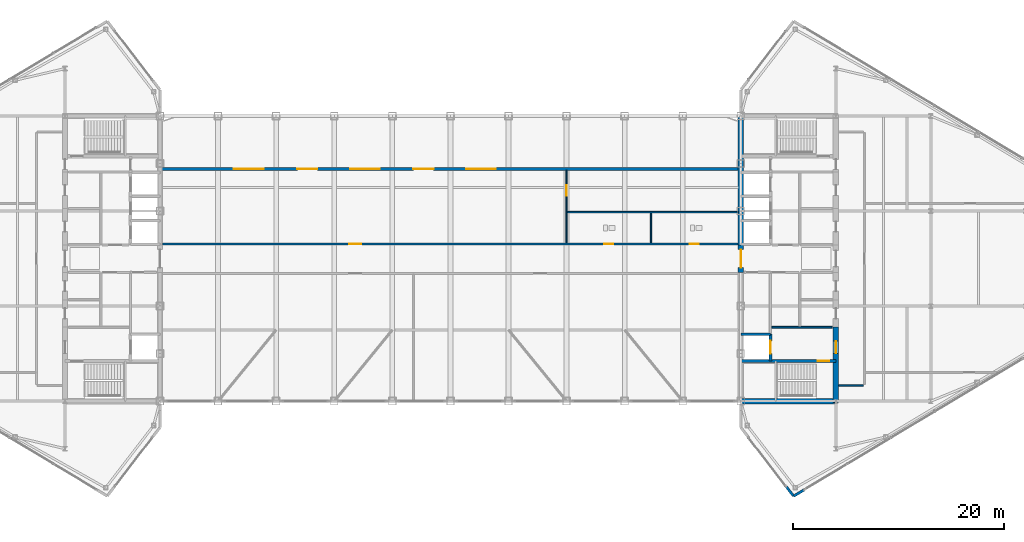
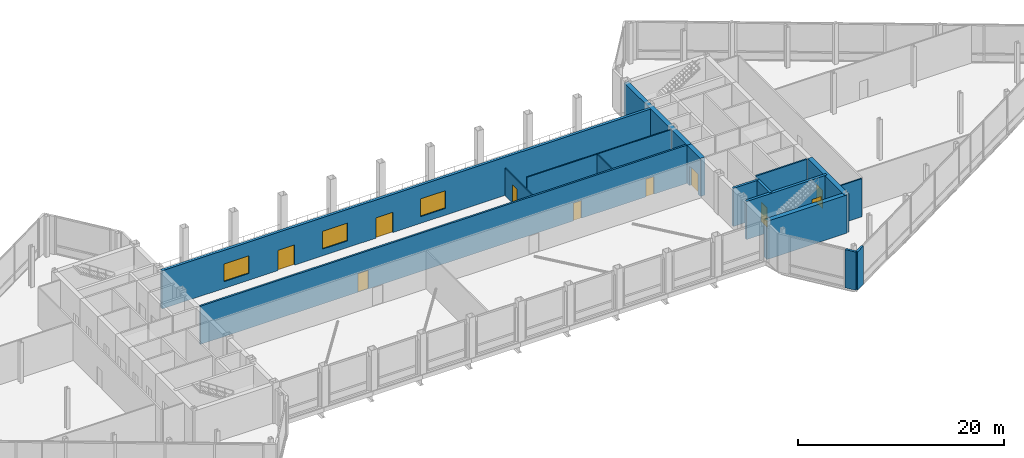
# One storey, part 23 of 28: 16 walls, 10 doors, 3 windows, 13 openings.
"""IFC4 building model written with IfcOpenShell, lengths in metres."""

import ifcopenshell
import ifcopenshell.guid

model = None  # the IFC model being written
_history = None  # IfcOwnerHistory: only IFC2X3 demands one
_inside = {}  # id of a spatial element -> (the spatial element, [elements in it])
_under = {}  # id of a project, library or spatial element -> (it, [spatial elements below it])
_declared = {}  # id of a project -> (the project, [libraries it declares])
_typed = {}  # id of a type object -> (the type object, [elements of that type])
_made_of = {}  # id of a material, layer set ... -> (it, [elements and type objects made of it])


def new_model(schema):
    """Start an empty IFC model of exactly this schema.

    Asked for "IFC4X3", IfcOpenShell would pick the latest addendum, in which some entities
    have other attributes; the version numbers below select the first issue.
    IFC2X3 requires an IfcOwnerHistory on every rooted entity: one is made here for all.
    """
    global model, _history
    if schema == "IFC4X3":
        model = ifcopenshell.file(schema_version=(4, 3, 0, 0))
    else:
        model = ifcopenshell.file(schema=schema)
    _inside.clear()
    _under.clear()
    _declared.clear()
    _typed.clear()
    _made_of.clear()
    _history = None
    if model.schema == "IFC2X3":
        org = make("IfcOrganization", Name="unknown")
        user = make(
            "IfcPersonAndOrganization",
            ThePerson=make("IfcPerson", FamilyName="unknown"),
            TheOrganization=org,
        )
        app = make(
            "IfcApplication",
            ApplicationDeveloper=org,
            Version="unknown",
            ApplicationFullName="unknown",
            ApplicationIdentifier="unknown",
        )
        _history = make(
            "IfcOwnerHistory",
            OwningUser=user,
            OwningApplication=app,
            ChangeAction="ADDED",
            CreationDate=0,
        )
    return model


def make(cls, **values):
    """One entity of the class cls with the attributes given. An attribute that is None is left unset."""
    return model.create_entity(
        cls, **{name: value for name, value in values.items() if value is not None}
    )


def rooted(cls, **values):
    """An entity with a GlobalId (a new one), such as an element, a storey or a relation."""
    return make(cls, GlobalId=ifcopenshell.guid.new(), OwnerHistory=_history, **values)


def si_unit(unit_type, name, prefix=None):
    """IfcSIUnit, for example si_unit("LENGTHUNIT", "METRE", prefix="MILLI")."""
    return make("IfcSIUnit", UnitType=unit_type, Prefix=prefix, Name=name)


def assignment(units):
    """IfcUnitAssignment: the units of a project."""
    return None if units is None else make("IfcUnitAssignment", Units=units)


def point(xyz):
    """IfcCartesianPoint."""
    return None if xyz is None else make("IfcCartesianPoint", Coordinates=xyz)


def direction(xyz):
    """IfcDirection."""
    return None if xyz is None else make("IfcDirection", DirectionRatios=xyz)


def frame(location, z_axis=None, x_axis=None):
    """IfcAxis2Placement3D, a coordinate frame: its origin and axes. An axis left out is left unset."""
    return make(
        "IfcAxis2Placement3D",
        Location=point(location),
        Axis=direction(z_axis),
        RefDirection=direction(x_axis),
    )


def frame_2d(location, x_axis=None):
    """IfcAxis2Placement2D, a coordinate frame in the plane: its origin and x axis."""
    return make(
        "IfcAxis2Placement2D", Location=point(location), RefDirection=direction(x_axis)
    )


def origin():
    """The frame at (0, 0, 0) with its axes left unset."""
    return frame((0.0, 0.0, 0.0))


def place(relative_to, where):
    """IfcLocalPlacement: puts the frame where relative to a parent placement (None: the world)."""
    return make(
        "IfcLocalPlacement", PlacementRelTo=relative_to, RelativePlacement=where
    )


def context(
    kind, dimensions, precision=None, world=None, true_north=None, identifier=None
):
    """IfcGeometricRepresentationContext, for example the 3D "Model" context."""
    return make(
        "IfcGeometricRepresentationContext",
        ContextIdentifier=identifier,
        ContextType=kind,
        CoordinateSpaceDimension=dimensions,
        Precision=precision,
        WorldCoordinateSystem=world,
        TrueNorth=true_north,
    )


def subcontext(parent, identifier, kind, view, scale=None):
    """IfcGeometricRepresentationSubContext, for example "Body" below "Model"."""
    return make(
        "IfcGeometricRepresentationSubContext",
        ContextIdentifier=identifier,
        ContextType=kind,
        ParentContext=parent,
        TargetScale=scale,
        TargetView=view,
    )


def project(units=None, contexts=None):
    """IfcProject with its units and contexts."""
    return rooted(
        "IfcProject",
        Name="project",
        RepresentationContexts=contexts,
        UnitsInContext=assignment(units),
    )


def spatial(cls, under=None, at=None, **own):
    """A site, building, storey or space (cls), placed at a placement, below another one or the project."""
    s = rooted(cls, ObjectPlacement=at, **own)
    if under is not None:
        _under.setdefault(under.id(), (under, []))[1].append(s)
    return s


def profile(cls, at=None, kind="AREA", **sizes):
    """A parametric profile (cls). Its sizes go by their IFC names, for example OverallWidth=200.0."""
    return make(cls, ProfileType=kind, Position=at, **sizes)


def rectangle(**sizes):
    """IfcRectangleProfileDef."""
    return profile("IfcRectangleProfileDef", **sizes)


def extrude(swept, where, along, depth):
    """IfcExtrudedAreaSolid: the profile swept, set in the frame where, extruded along a direction by depth."""
    return make(
        "IfcExtrudedAreaSolid",
        SweptArea=swept,
        Position=where,
        ExtrudedDirection=direction(along),
        Depth=depth,
    )


def shape(context_of_items, identifier, shape_type, items):
    """IfcShapeRepresentation: the items that make up one representation, for example the "Body"."""
    return make(
        "IfcShapeRepresentation",
        ContextOfItems=context_of_items,
        RepresentationIdentifier=identifier,
        RepresentationType=shape_type,
        Items=items,
    )


def source(mapping_origin, context_of_items, identifier, shape_type, items):
    """IfcRepresentationMap: a shape defined once, which mapped items show again and again."""
    return make(
        "IfcRepresentationMap",
        MappingOrigin=mapping_origin,
        MappedRepresentation=shape(context_of_items, identifier, shape_type, items),
    )


def transform(
    local_origin,
    x_axis=None,
    y_axis=None,
    z_axis=None,
    scale=None,
    scale2=None,
    scale3=None,
    uniform=True,
):
    """IfcCartesianTransformationOperator3D, or its non-uniform kind. x_axis, y_axis, z_axis: its Axis1, 2, 3."""
    if uniform:
        return make(
            "IfcCartesianTransformationOperator3D",
            Axis1=direction(x_axis),
            Axis2=direction(y_axis),
            LocalOrigin=point(local_origin),
            Scale=scale,
            Axis3=direction(z_axis),
        )
    return make(
        "IfcCartesianTransformationOperator3DnonUniform",
        Axis1=direction(x_axis),
        Axis2=direction(y_axis),
        LocalOrigin=point(local_origin),
        Scale=scale,
        Axis3=direction(z_axis),
        Scale2=scale2,
        Scale3=scale3,
    )


def mapped(mapping_source, mapping_target):
    """IfcMappedItem: shows the shape of a source again, moved by a transform."""
    return make(
        "IfcMappedItem", MappingSource=mapping_source, MappingTarget=mapping_target
    )


def material(Name=None, Category=None):
    """IfcMaterial."""
    return make("IfcMaterial", Name=Name, Category=Category)


def layer(
    of_material, thickness, ventilated=None, Name=None, Category=None, Priority=None
):
    """IfcMaterialLayer: one layer of a wall or slab, of a material (None: an air gap)."""
    return make(
        "IfcMaterialLayer",
        Material=of_material,
        LayerThickness=thickness,
        IsVentilated=ventilated,
        Name=Name,
        Category=Category,
        Priority=Priority,
    )


def layer_set(layers, Name=None):
    """IfcMaterialLayerSet."""
    return make("IfcMaterialLayerSet", MaterialLayers=layers, LayerSetName=Name)


def made_of(thing, what):
    """Note that an element or type object is made of a material, layer set ...; save() writes the relation."""
    if what is not None:
        _made_of.setdefault(what.id(), (what, []))[1].append(thing)
    return thing


def type_object(cls, material=None, **own):
    """A type object (cls), such as IfcWallType, which elements share."""
    return made_of(rooted(cls, **own), material)


def type_shapes(of_type, sources):
    """Give a type object the sources (RepresentationMaps) that its elements show as mapped items."""
    of_type.RepresentationMaps = sources


def element(
    cls,
    number,
    at=None,
    inside=None,
    cuts=None,
    type_object=None,
    material=None,
    context=None,
    identifier="Body",
    shape_type=None,
    held_by="IfcProductDefinitionShape",
    body=None,
    shapes=None,
    **own,
):
    """One element of the class cls, such as IfcWall. Its Tag is "e" and its number.

    at: its placement. inside: the storey or other place that contains it. cuts: it is an
    opening in that element (IfcRelVoidsElement). A single representation is given by context,
    identifier, shape_type and body (its items); several are given by shapes. held_by: the class
    of the entity that holds the representations. save() writes the other relations.
    """
    e = rooted(cls, Tag="e%d" % number, ObjectPlacement=at, **own)
    if body is not None:
        shapes = [shape(context, identifier, shape_type, body)]
    if shapes is not None:
        e.Representation = make(held_by, Representations=shapes)
    if inside is not None:
        _inside.setdefault(inside.id(), (inside, []))[1].append(e)
    if cuts is not None:
        rooted(
            "IfcRelVoidsElement", RelatingBuildingElement=cuts, RelatedOpeningElement=e
        )
    if type_object is not None:
        _typed.setdefault(type_object.id(), (type_object, []))[1].append(e)
    return made_of(e, material)


def fill(opening, filler):
    """IfcRelFillsElement: the door or window that sits in an opening."""
    return rooted(
        "IfcRelFillsElement",
        RelatingOpeningElement=opening,
        RelatedBuildingElement=filler,
    )


def aggregate(whole, parts):
    """IfcRelAggregates: a whole, such as a stair, and the parts it consists of."""
    return rooted("IfcRelAggregates", RelatingObject=whole, RelatedObjects=parts)


def save(model, path):
    """Write the relations noted so far, then the file.

    IfcRelAggregates (storeys below a building ...), IfcRelContainedInSpatialStructure (elements
    in a storey), IfcRelDefinesByType, IfcRelAssociatesMaterial and IfcRelDeclares: one each for
    every whole, place, type object, material and project.
    """
    for whole, parts in _under.values():
        aggregate(whole, parts)
    for where, things in _inside.values():
        rooted(
            "IfcRelContainedInSpatialStructure",
            RelatedElements=things,
            RelatingStructure=where,
        )
    for kind, things in _typed.values():
        rooted("IfcRelDefinesByType", RelatedObjects=things, RelatingType=kind)
    for what, things in _made_of.values():
        rooted("IfcRelAssociatesMaterial", RelatedObjects=things, RelatingMaterial=what)
    for by, libraries in _declared.values():
        rooted("IfcRelDeclares", RelatingContext=by, RelatedDefinitions=libraries)
    model.write(path)


model = new_model("IFC4")

# Units and contexts
model_context = context("Model", 3, precision=1e-05, world=origin(), true_north=direction((0.0, 1.0)))
body_context = subcontext(model_context, "Body", "Model", "MODEL_VIEW")
ifc_project = project(units=[si_unit("LENGTHUNIT", "METRE"), si_unit("AREAUNIT", "SQUARE_METRE"), si_unit("VOLUMEUNIT", "CUBIC_METRE"), si_unit("PLANEANGLEUNIT", "RADIAN"), si_unit("MASSUNIT", "GRAM", prefix="KILO")], contexts=[model_context])

# Site, building, storey
site_placement = place(None, origin())
site = spatial("IfcSite", under=ifc_project, at=site_placement, CompositionType="ELEMENT")
building_placement = place(site_placement, origin())
building = spatial("IfcBuilding", under=site, at=building_placement, Name="Seokmaru Belvedere", CompositionType="ELEMENT")
storey_placement = place(building_placement, frame((0.0, 0.0, 274.199951171875)))
storey = spatial("IfcBuildingStorey", under=building, at=storey_placement, Name="L72", CompositionType="ELEMENT", Elevation=274.199951171875)

# Walls
ifc_material_1 = material(Name="Fire-Rated Gypsum Shaftwall")
ifc_layer_1 = layer(ifc_material_1, 0.14990234375)
ifc_layer_set_1 = layer_set([ifc_layer_1], Name="Fire-Rated Gypsum Shaftwall")
wall_type_1 = type_object("IfcWallType", Name="Apartment Fire-Acoustic Room Partition 150", PredefinedType="PARTITIONING", material=ifc_layer_set_1)
wall_1_placement = place(storey_placement, frame((36.7548828125, -12.0, 0.0), z_axis=(0.0, 0.0, 1.0), x_axis=(1.0, 0.0, 0.0)))
element("IfcWall", 1, at=wall_1_placement, inside=storey, type_object=wall_type_1, Name="L72 Interior Partition 002", PredefinedType="PARTITIONING", context=body_context, shape_type="SweptSolid", body=[
    extrude(rectangle(XDim=2.360107421875, YDim=0.14990234375, at=frame_2d((1.18017578125, 0.0))), origin(), (0.0, 0.0, 1.0), 4.52001953125),
])
ifc_layer_2 = layer(ifc_material_1, 0.179931640625)
ifc_layer_set_2 = layer_set([ifc_layer_2], Name="Fire-Rated Gypsum Shaftwall")
wall_type_2 = type_object("IfcWallType", Name="Core Service Fire Partition 180", PredefinedType="PARTITIONING", material=ifc_layer_set_2)
wall_2_placement = place(storey_placement, frame((30.449951171875, -6.5, 0.0), z_axis=(0.0, 0.0, 1.0), x_axis=(1.0, 0.0, 0.0)))
element("IfcWall", 2, at=wall_2_placement, inside=storey, type_object=wall_type_2, Name="L72 East Firefighting Lobby Partition", PredefinedType="PARTITIONING", context=body_context, shape_type="SweptSolid", body=[
    extrude(rectangle(XDim=5.699951171875, YDim=0.179931640625, at=frame_2d((2.85009765625, 0.0))), origin(), (0.0, 0.0, 1.0), 4.52001953125),
])
ifc_material_2 = material(Name="Concrete C50 (50 MPa)", Category="concrete")
ifc_layer_3 = layer(ifc_material_2, 0.25)
ifc_layer_set_3 = layer_set([ifc_layer_3], Name="Concrete C50 (50 MPa)")
wall_type_3 = type_object("IfcWallType", Name="Hoistway Transverse Concrete Divider Wall 250", PredefinedType="SHEAR", material=ifc_layer_set_3)
wall_3_placement = place(storey_placement, frame((27.5, -7.14990234375, 0.0), z_axis=(0.0, 0.0, 1.0), x_axis=(1.0, 0.0, 0.0)))
element("IfcWall", 3, at=wall_3_placement, inside=storey, type_object=wall_type_3, Name="L72 East Hoistway Divider Core Wall 1", PredefinedType="SHEAR", context=body_context, shape_type="SweptSolid", body=[
    extrude(rectangle(XDim=2.800048828125, YDim=0.25, at=frame_2d((1.39990234375, 0.0))), origin(), (0.0, 0.0, 1.0), 4.52001953125),
])

# Wall, openings, doors
ifc_layer_4 = layer(ifc_material_1, 0.199951171875)
ifc_layer_set_4 = layer_set([ifc_layer_4], Name="Fire-Rated Gypsum Shaftwall")
wall_type_4 = type_object("IfcWallType", Name="Inter-Tenancy Fire Compartment Partition 200", PredefinedType="PARTITIONING", material=ifc_layer_set_4)
wall_4_placement = place(storey_placement, frame((-27.2451171875, 1.39990234375, 0.0), z_axis=(0.0, 0.0, 1.0), x_axis=(1.0, 0.0, 0.0)))
wall_4 = element("IfcWall", 4, at=wall_4_placement, inside=storey, type_object=wall_type_4, Name="L72 Interior Partition 006", PredefinedType="PARTITIONING", context=body_context, shape_type="SweptSolid", body=[
    extrude(rectangle(XDim=54.490234375, YDim=0.199951171875, at=frame_2d((27.2451171875, 0.0))), origin(), (0.0, 0.0, 1.0), 4.52001953125),
])
opening_1_placement = place(wall_4_placement, frame((17.669921875, 0.0, 0.0)))
opening_1 = element("IfcOpeningElement", 5, at=opening_1_placement, cuts=wall_4, Name="Opening D02", PredefinedType="OPENING", context=body_context, shape_type="SweptSolid", body=[
    extrude(rectangle(XDim=1.14990234375, YDim=2.199951171875, at=frame_2d((0.574951171875, 1.10009765625))), frame((0.0, 0.10986328125, 0.0), z_axis=(0.0, -1.0, 0.0), x_axis=(1.0, 0.0, 0.0)), (0.0, 0.0, 1.0), 0.219970703125),
])
opening_2_placement = place(wall_4_placement, frame((41.804931640625, 0.0, 0.0)))
opening_2 = element("IfcOpeningElement", 6, at=opening_2_placement, cuts=wall_4, Name="Opening D06", PredefinedType="OPENING", context=body_context, shape_type="SweptSolid", body=[
    extrude(rectangle(XDim=0.8798828125, YDim=2.10009765625, at=frame_2d((0.43994140625, 1.050048828125))), frame((0.0, 0.10986328125, 0.0), z_axis=(0.0, -1.0, 0.0), x_axis=(1.0, 0.0, 0.0)), (0.0, 0.0, 1.0), 0.219970703125),
])
opening_3_placement = place(wall_4_placement, frame((49.905029296875, 0.0, 0.0)))
opening_3 = element("IfcOpeningElement", 7, at=opening_3_placement, cuts=wall_4, Name="Opening D06", PredefinedType="OPENING", context=body_context, shape_type="SweptSolid", body=[
    extrude(rectangle(XDim=0.8798828125, YDim=2.10009765625, at=frame_2d((0.43994140625, 1.050048828125))), frame((0.0, 0.10986328125, 0.0), z_axis=(0.0, -1.0, 0.0), x_axis=(1.0, 0.0, 0.0)), (0.0, 0.0, 1.0), 0.219970703125),
])
ifc_material_3 = material(Name="Fire-Rated Steel Leaf", Category="steel")
door_type_1 = type_object("IfcDoorType", Name="Lobby and Vestibule Fire Door 1150x2200", OperationType="NOTDEFINED", PredefinedType="DOOR", material=ifc_material_3)
shared_shape_1 = source(origin(), body_context, "Body", "SweptSolid", [
    extrude(rectangle(XDim=1.14990234375, YDim=2.199951171875, at=frame_2d((0.574951171875, 1.10009765625))), frame((0.0, 0.02490234375, 0.0), z_axis=(0.0, -1.0, 0.0), x_axis=(1.0, 0.0, 0.0)), (0.0, 0.0, 1.0), 0.050048828125),
])
type_shapes(door_type_1, [shared_shape_1])
door_1_placement = place(opening_1_placement, origin())
door_1 = element("IfcDoor", 8, at=door_1_placement, inside=storey, type_object=door_type_1, Name="L72 Interior Door 009", OperationType="SINGLE_SWING_LEFT", OverallHeight=2.199951171875, OverallWidth=1.14990234375, PredefinedType="DOOR", context=body_context, shape_type="MappedRepresentation", body=[
    mapped(shared_shape_1, transform((0.0, 0.0, 0.0), scale=1.0)),
])
fill(opening_1, door_1)
ifc_material_4 = material(Name="Engineered White Oak Timber", Category="wood")
door_type_2 = type_object("IfcDoorType", Name="Bathroom and Restroom Fire-Rated Door 880x2100", OperationType="NOTDEFINED", PredefinedType="DOOR", material=ifc_material_4)
shared_shape_2 = source(origin(), body_context, "Body", "SweptSolid", [
    extrude(rectangle(XDim=0.8798828125, YDim=2.10009765625, at=frame_2d((0.43994140625, 1.050048828125))), frame((0.0, 0.02490234375, 0.0), z_axis=(0.0, -1.0, 0.0), x_axis=(1.0, 0.0, 0.0)), (0.0, 0.0, 1.0), 0.050048828125),
])
type_shapes(door_type_2, [shared_shape_2])
door_2_placement = place(opening_2_placement, origin())
door_2 = element("IfcDoor", 9, at=door_2_placement, inside=storey, type_object=door_type_2, Name="L72 Interior Door 010", OperationType="SINGLE_SWING_LEFT", OverallHeight=2.10009765625, OverallWidth=0.8798828125, PredefinedType="DOOR", context=body_context, shape_type="MappedRepresentation", body=[
    mapped(shared_shape_2, transform((0.0, 0.0, 0.0), scale=1.0)),
])
fill(opening_2, door_2)
door_3_placement = place(opening_3_placement, origin())
door_3 = element("IfcDoor", 10, at=door_3_placement, inside=storey, type_object=door_type_2, Name="L72 Interior Door 011", OperationType="SINGLE_SWING_RIGHT", OverallHeight=2.10009765625, OverallWidth=0.8798828125, PredefinedType="DOOR", context=body_context, shape_type="MappedRepresentation", body=[
    mapped(shared_shape_2, transform((0.0, 0.0, 0.0), scale=1.0)),
])
fill(opening_3, door_3)

# Wall, opening, door
ifc_layer_5 = layer(ifc_material_2, 0.300048828125)
ifc_layer_set_5 = layer_set([ifc_layer_5], Name="Concrete C50 (50 MPa)")
wall_type_5 = type_object("IfcWallType", Name="Internal Core Stair and Hoistway Wall 300", PredefinedType="SHEAR", material=ifc_layer_set_5)
wall_5_placement = place(storey_placement, frame((27.5, -9.699951171875, 0.0), z_axis=(0.0, 0.0, 1.0), x_axis=(1.0, 0.0, 0.0)))
wall_5 = element("IfcWall", 11, at=wall_5_placement, inside=storey, type_object=wall_type_5, Name="L72 East Stair ST-1 Enclosure Wall", PredefinedType="SHEAR", context=body_context, shape_type="SweptSolid", body=[
    extrude(rectangle(XDim=9.0, YDim=0.300048828125, at=frame_2d((4.5, 0.0))), origin(), (0.0, 0.0, 1.0), 4.52001953125),
])
opening_4_placement = place(wall_5_placement, frame((7.300048828125, 0.0, 0.0)))
opening_4 = element("IfcOpeningElement", 12, at=opening_4_placement, cuts=wall_5, Name="Opening D01", PredefinedType="OPENING", context=body_context, shape_type="SweptSolid", body=[
    extrude(rectangle(XDim=1.10009765625, YDim=2.199951171875, at=frame_2d((0.550048828125, 1.10009765625))), frame((0.0, 0.16015625, 0.0), z_axis=(0.0, -1.0, 0.0), x_axis=(1.0, 0.0, 0.0)), (0.0, 0.0, 1.0), 0.320068359375),
])
door_type_3 = type_object("IfcDoorType", Name="Special Escape Stair Smokeproof Fire Door 1100x2200", OperationType="NOTDEFINED", PredefinedType="DOOR", material=ifc_material_3)
shared_shape_3 = source(origin(), body_context, "Body", "SweptSolid", [
    extrude(rectangle(XDim=1.10009765625, YDim=2.199951171875, at=frame_2d((0.550048828125, 1.10009765625))), frame((0.0, 0.02490234375, 0.0), z_axis=(0.0, -1.0, 0.0), x_axis=(1.0, 0.0, 0.0)), (0.0, 0.0, 1.0), 0.050048828125),
])
type_shapes(door_type_3, [shared_shape_3])
door_4_placement = place(opening_4_placement, frame((1.10009765625, 0.0, 0.0), z_axis=(0.0, 0.0, 1.0), x_axis=(-1.0, 0.0, 0.0)))
door_4 = element("IfcDoor", 13, at=door_4_placement, inside=storey, type_object=door_type_3, Name="L72 East Special Escape Stair ST-1 Door", OperationType="SINGLE_SWING_RIGHT", OverallHeight=2.199951171875, OverallWidth=1.10009765625, PredefinedType="DOOR", context=body_context, shape_type="MappedRepresentation", body=[
    mapped(shared_shape_3, transform((0.0, 0.0, 0.0), scale=1.0)),
])
fill(opening_4, door_4)

wall_6_placement = place(storey_placement, frame((30.300048828125, -9.679931640625, 0.0), z_axis=(0.0, 0.0, 1.0), x_axis=(0.0, 1.0, 0.0)))
wall_6 = element("IfcWall", 14, at=wall_6_placement, inside=storey, type_object=wall_type_5, Name="L72 East Firefighting Lift Shaft Front Wall", PredefinedType="SHEAR", context=body_context, shape_type="SweptSolid", body=[
    extrude(rectangle(XDim=2.559814453125, YDim=0.300048828125, at=frame_2d((1.27978515625, 0.0))), origin(), (0.0, 0.0, 1.0), 4.52001953125),
])
opening_5_placement = place(wall_6_placement, frame((0.679931640625, 0.0, 0.0)))
opening_5 = element("IfcOpeningElement", 15, at=opening_5_placement, cuts=wall_6, Name="Opening LD2", PredefinedType="OPENING", context=body_context, shape_type="SweptSolid", body=[
    extrude(rectangle(XDim=1.199951171875, YDim=2.25, at=frame_2d((0.60009765625, 1.125))), frame((0.0, 0.16015625, 0.0), z_axis=(0.0, -1.0, 0.0), x_axis=(1.0, 0.0, 0.0)), (0.0, 0.0, 1.0), 0.320068359375),
])
ifc_material_5 = material(Name="Stainless Steel 316", Category="steel")
door_type_4 = type_object("IfcDoorType", Name="Firefighting Lift Sliding Landing Door 1200x2250", OperationType="DOUBLE_DOOR_SLIDING", PredefinedType="DOOR", material=ifc_material_5)
shared_shape_4 = source(origin(), body_context, "Body", "SweptSolid", [
    extrude(rectangle(XDim=1.199951171875, YDim=2.25, at=frame_2d((0.60009765625, 1.125))), frame((0.0, 0.02490234375, 0.0), z_axis=(0.0, -1.0, 0.0), x_axis=(1.0, 0.0, 0.0)), (0.0, 0.0, 1.0), 0.050048828125),
])
type_shapes(door_type_4, [shared_shape_4])
door_5_placement = place(opening_5_placement, origin())
door_5 = element("IfcDoor", 16, at=door_5_placement, inside=storey, type_object=door_type_4, Name="L72 East Firefighting Lift Landing Door", OperationType="DOUBLE_DOOR_SLIDING", OverallHeight=2.25, OverallWidth=1.199951171875, PredefinedType="DOOR", context=body_context, shape_type="MappedRepresentation", body=[
    mapped(shared_shape_4, transform((0.0, 0.0, 0.0), scale=1.0)),
])
fill(opening_5, door_5)

# Wall
ifc_layer_6 = layer(ifc_material_1, 0.1298828125)
ifc_layer_set_6 = layer_set([ifc_layer_6], Name="Fire-Rated Gypsum Shaftwall")
wall_type_6 = type_object("IfcWallType", Name="Moisture-Resistant Fire-Rated Bathroom Partition 130", PredefinedType="PARTITIONING", material=ifc_layer_set_6)
wall_7_placement = place(storey_placement, frame((11.0849609375, 4.39990234375, 0.0), z_axis=(0.0, 0.0, 1.0), x_axis=(1.0, 0.0, 0.0)))
element("IfcWall", 17, at=wall_7_placement, inside=storey, type_object=wall_type_6, Name="L72 Interior Partition 007", PredefinedType="PARTITIONING", context=body_context, shape_type="SweptSolid", body=[
    extrude(rectangle(XDim=16.16015625, YDim=0.1298828125, at=frame_2d((8.080078125, 0.0))), origin(), (0.0, 0.0, 1.0), 4.52001953125),
])

# Wall, opening, door
wall_8_placement = place(storey_placement, frame((11.0, 1.485107421875, 0.0), z_axis=(0.0, 0.0, 1.0), x_axis=(0.0, 1.0, 0.0)))
wall_8 = element("IfcWall", 18, at=wall_8_placement, inside=storey, type_object=wall_type_6, Name="L72 Interior Partition 014", PredefinedType="PARTITIONING", context=body_context, shape_type="SweptSolid", body=[
    extrude(rectangle(XDim=6.85986328125, YDim=0.1298828125, at=frame_2d((3.429931640625, 0.0))), origin(), (0.0, 0.0, 1.0), 3.219970703125),
])
opening_6_placement = place(wall_8_placement, frame((4.489990234375, 0.0, 0.0)))
opening_6 = element("IfcOpeningElement", 19, at=opening_6_placement, cuts=wall_8, Name="Opening D05", PredefinedType="OPENING", context=body_context, shape_type="SweptSolid", body=[
    extrude(rectangle(XDim=0.949951171875, YDim=2.14990234375, at=frame_2d((0.47509765625, 1.074951171875))), frame((0.0, 0.074951171875, 0.0), z_axis=(0.0, -1.0, 0.0), x_axis=(1.0, 0.0, 0.0)), (0.0, 0.0, 1.0), 0.14990234375),
])
door_type_5 = type_object("IfcDoorType", Name="Apartment Interior Fire-Rated Oak Door 950x2150", OperationType="NOTDEFINED", PredefinedType="DOOR", material=ifc_material_4)
shared_shape_5 = source(origin(), body_context, "Body", "SweptSolid", [
    extrude(rectangle(XDim=0.949951171875, YDim=2.14990234375, at=frame_2d((0.47509765625, 1.074951171875))), frame((0.0, 0.02490234375, 0.0), z_axis=(0.0, -1.0, 0.0), x_axis=(1.0, 0.0, 0.0)), (0.0, 0.0, 1.0), 0.050048828125),
])
type_shapes(door_type_5, [shared_shape_5])
door_6_placement = place(opening_6_placement, origin())
door_6 = element("IfcDoor", 20, at=door_6_placement, inside=storey, type_object=door_type_5, Name="L72 Interior Door 012", OperationType="SINGLE_SWING_LEFT", OverallHeight=2.14990234375, OverallWidth=0.949951171875, PredefinedType="DOOR", context=body_context, shape_type="MappedRepresentation", body=[
    mapped(shared_shape_5, transform((0.0, 0.0, 0.0), scale=1.0)),
])
fill(opening_6, door_6)

# Wall
wall_9_placement = place(storey_placement, frame((19.0, 1.485107421875, 0.0), z_axis=(0.0, 0.0, 1.0), x_axis=(0.0, 1.0, 0.0)))
element("IfcWall", 21, at=wall_9_placement, inside=storey, type_object=wall_type_6, Name="L72 Interior Partition 015", PredefinedType="PARTITIONING", context=body_context, shape_type="SweptSolid", body=[
    extrude(rectangle(XDim=2.829833984375, YDim=0.1298828125, at=frame_2d((1.4150390625, 0.0))), origin(), (0.0, 0.0, 1.0), 4.52001953125),
])

# Wall, openings, windows, doors
ifc_material_6 = material(Name="Concrete C40 (40 MPa)", Category="concrete")
ifc_layer_7 = layer(ifc_material_6, 0.320068359375)
ifc_layer_set_7 = layer_set([ifc_layer_7], Name="Concrete C40 (40 MPa)")
wall_type_7 = type_object("IfcWallType", Name="Podium Terrace Insulated Wall 320", PredefinedType="SOLIDWALL", material=ifc_layer_set_7)
wall_10_placement = place(storey_placement, frame((-27.449951171875, 8.5, 0.0), z_axis=(0.0, 0.0, 1.0), x_axis=(1.0, 0.0, 0.0)))
wall_10 = element("IfcWall", 22, at=wall_10_placement, inside=storey, type_object=wall_type_7, Name="L72 North Viewing Terrace Glazed Wall", PredefinedType="SOLIDWALL", context=body_context, shape_type="SweptSolid", body=[
    extrude(rectangle(XDim=54.89990234375, YDim=0.300048828125, at=frame_2d((27.449951171875, 0.0))), origin(), (0.0, 0.0, 1.0), 4.52001953125),
])
opening_7_placement = place(wall_10_placement, frame((12.949951171875, 0.0, 0.0)))
opening_7 = element("IfcOpeningElement", 23, at=opening_7_placement, cuts=wall_10, Name="Opening DX4", PredefinedType="OPENING", context=body_context, shape_type="SweptSolid", body=[
    extrude(rectangle(XDim=1.89990234375, YDim=2.39990234375, at=frame_2d((0.949951171875, 1.199951171875))), frame((0.0, 0.16015625, 0.0), z_axis=(0.0, -1.0, 0.0), x_axis=(1.0, 0.0, 0.0)), (0.0, 0.0, 1.0), 0.320068359375),
])
opening_8_placement = place(wall_10_placement, frame((23.949951171875, 0.0, 0.0)))
opening_8 = element("IfcOpeningElement", 24, at=opening_8_placement, cuts=wall_10, Name="Opening DX4", PredefinedType="OPENING", context=body_context, shape_type="SweptSolid", body=[
    extrude(rectangle(XDim=1.89990234375, YDim=2.39990234375, at=frame_2d((0.949951171875, 1.199951171875))), frame((0.0, 0.16015625, 0.0), z_axis=(0.0, -1.0, 0.0), x_axis=(1.0, 0.0, 0.0)), (0.0, 0.0, 1.0), 0.320068359375),
])
opening_9_placement = place(wall_10_placement, frame((6.949951171875, 0.0, 0.800048828125)))
opening_9 = element("IfcOpeningElement", 25, at=opening_9_placement, cuts=wall_10, Name="Opening WN5", PredefinedType="OPENING", context=body_context, shape_type="SweptSolid", body=[
    extrude(rectangle(XDim=2.800048828125, YDim=2.10009765625, at=frame_2d((1.39990234375, 1.050048828125))), frame((0.0, 0.16015625, 0.0), z_axis=(0.0, -1.0, 0.0), x_axis=(1.0, 0.0, 0.0)), (0.0, 0.0, 1.0), 0.320068359375),
])
opening_10_placement = place(wall_10_placement, frame((17.949951171875, 0.0, 0.800048828125)))
opening_10 = element("IfcOpeningElement", 26, at=opening_10_placement, cuts=wall_10, Name="Opening WN5", PredefinedType="OPENING", context=body_context, shape_type="SweptSolid", body=[
    extrude(rectangle(XDim=2.800048828125, YDim=2.10009765625, at=frame_2d((1.39990234375, 1.050048828125))), frame((0.0, 0.16015625, 0.0), z_axis=(0.0, -1.0, 0.0), x_axis=(1.0, 0.0, 0.0)), (0.0, 0.0, 1.0), 0.320068359375),
])
opening_11_placement = place(wall_10_placement, frame((28.949951171875, 0.0, 0.800048828125)))
opening_11 = element("IfcOpeningElement", 27, at=opening_11_placement, cuts=wall_10, Name="Opening WN5", PredefinedType="OPENING", context=body_context, shape_type="SweptSolid", body=[
    extrude(rectangle(XDim=2.800048828125, YDim=2.10009765625, at=frame_2d((1.39990234375, 1.050048828125))), frame((0.0, 0.16015625, 0.0), z_axis=(0.0, -1.0, 0.0), x_axis=(1.0, 0.0, 0.0)), (0.0, 0.0, 1.0), 0.320068359375),
])
ifc_material_7 = material(Name="Bronze Triple Insulating Glass", Category="glass")
window_type = type_object("IfcWindowType", Name="Terrace Salon Panorama Window 2800x2100", PartitioningType="SINGLE_PANEL", PredefinedType="WINDOW", material=ifc_material_7)
shared_shape_6 = source(origin(), body_context, "Body", "SweptSolid", [
    extrude(rectangle(XDim=2.800048828125, YDim=2.10009765625, at=frame_2d((1.39990234375, 1.050048828125))), frame((0.0, 0.030029296875, 0.0), z_axis=(0.0, -1.0, 0.0), x_axis=(1.0, 0.0, 0.0)), (0.0, 0.0, 1.0), 0.06005859375),
])
type_shapes(window_type, [shared_shape_6])
window_1_placement = place(opening_9_placement, origin())
window_1 = element("IfcWindow", 28, at=window_1_placement, inside=storey, type_object=window_type, Name="L72 Observation Terrace Panorama Window 1", OverallHeight=2.10009765625, OverallWidth=2.800048828125, PartitioningType="SINGLE_PANEL", PredefinedType="WINDOW", context=body_context, shape_type="MappedRepresentation", body=[
    mapped(shared_shape_6, transform((0.0, 0.0, 0.0), scale=1.0)),
])
fill(opening_9, window_1)
window_2_placement = place(opening_10_placement, origin())
window_2 = element("IfcWindow", 29, at=window_2_placement, inside=storey, type_object=window_type, Name="L72 Observation Terrace Panorama Window 2", OverallHeight=2.10009765625, OverallWidth=2.800048828125, PartitioningType="SINGLE_PANEL", PredefinedType="WINDOW", context=body_context, shape_type="MappedRepresentation", body=[
    mapped(shared_shape_6, transform((0.0, 0.0, 0.0), scale=1.0)),
])
fill(opening_10, window_2)
window_3_placement = place(opening_11_placement, origin())
window_3 = element("IfcWindow", 30, at=window_3_placement, inside=storey, type_object=window_type, Name="L72 Observation Terrace Panorama Window 3", OverallHeight=2.10009765625, OverallWidth=2.800048828125, PartitioningType="SINGLE_PANEL", PredefinedType="WINDOW", context=body_context, shape_type="MappedRepresentation", body=[
    mapped(shared_shape_6, transform((0.0, 0.0, 0.0), scale=1.0)),
])
fill(opening_11, window_3)
ifc_material_8 = material(Name="Anodised Bronze Aluminium", Category="aluminium")
door_type_6 = type_object("IfcDoorType", Name="Observation Viewing Terrace Door 1900x2400", OperationType="DOUBLE_SWING_LEFT", PredefinedType="DOOR", material=ifc_material_8)
shared_shape_7 = source(origin(), body_context, "Body", "SweptSolid", [
    extrude(rectangle(XDim=1.89990234375, YDim=2.39990234375, at=frame_2d((0.949951171875, 1.199951171875))), frame((0.0, 0.02490234375, 0.0), z_axis=(0.0, -1.0, 0.0), x_axis=(1.0, 0.0, 0.0)), (0.0, 0.0, 1.0), 0.050048828125),
])
type_shapes(door_type_6, [shared_shape_7])
door_7_placement = place(opening_7_placement, origin())
door_7 = element("IfcDoor", 31, at=door_7_placement, inside=storey, type_object=door_type_6, Name="L72 Observation Terrace Exit Door 1", OperationType="DOUBLE_SWING_LEFT", OverallHeight=2.39990234375, OverallWidth=1.89990234375, PredefinedType="DOOR", context=body_context, shape_type="MappedRepresentation", body=[
    mapped(shared_shape_7, transform((0.0, 0.0, 0.0), scale=1.0)),
])
fill(opening_7, door_7)
door_8_placement = place(opening_8_placement, origin())
door_8 = element("IfcDoor", 32, at=door_8_placement, inside=storey, type_object=door_type_6, Name="L72 Observation Terrace Exit Door 2", OperationType="DOUBLE_SWING_LEFT", OverallHeight=2.39990234375, OverallWidth=1.89990234375, PredefinedType="DOOR", context=body_context, shape_type="MappedRepresentation", body=[
    mapped(shared_shape_7, transform((0.0, 0.0, 0.0), scale=1.0)),
])
fill(opening_8, door_8)

# Walls
ifc_layer_8 = layer(ifc_material_8, 0.239990234375)
ifc_layer_set_8 = layer_set([ifc_layer_8], Name="Anodised Bronze Aluminium")
wall_type_8 = type_object("IfcWallType", Name="Tower Corner Spandrel Closure Wall 240", PredefinedType="SOLIDWALL", material=ifc_layer_set_8)
for number, where, z_axis, x_axis, name in (
    (33, (32.508544921875, -22.494873046875, 0.0), (0.0, 0.0, 1.0), (0.85743623509, 0.514590228002, 0.0), "L72 E Corner Closure Pier 1A"),
    (34, (31.798828125, -21.58837890625, 0.0), (0.0, 0.0, 1.0), (0.609617623633, -0.792695624408, 0.0), "L72 E Corner Closure Pier 6B"),
):
    element("IfcWall", number, at=place(storey_placement, frame(where, z_axis=z_axis, x_axis=x_axis)), inside=storey, type_object=wall_type_8, Name=name, PredefinedType="SOLIDWALL", context=body_context, shape_type="SweptSolid", body=[
        extrude(rectangle(XDim=1.14013671875, YDim=0.239990234375, at=frame_2d((0.570068359375, 0.0))), origin(), (0.0, 0.0, 1.0), 4.52001953125),
    ])
ifc_layer_9 = layer(ifc_material_2, 0.5)
ifc_layer_set_9 = layer_set([ifc_layer_9], Name="Concrete C50 (50 MPa)")
wall_type_9 = type_object("IfcWallType", Name="Upper Tower Reinforced Concrete Core Wall 500", PredefinedType="SHEAR", material=ifc_layer_set_9)
wall_11_placement = place(storey_placement, frame((27.5, 1.300048828125, 0.0), z_axis=(0.0, 0.0, 1.0), x_axis=(0.0, 1.0, 0.0)))
element("IfcWall", 35, at=wall_11_placement, inside=storey, type_object=wall_type_9, Name="L72 East Portal Spine Core Wall North", PredefinedType="SHEAR", context=body_context, shape_type="SweptSolid", body=[
    extrude(rectangle(XDim=12.199951171875, YDim=0.5, at=frame_2d((6.10009765625, 0.0))), origin(), (0.0, 0.0, 1.0), 4.52001953125),
])

# Wall, opening, door
wall_12_placement = place(storey_placement, frame((27.5, -1.300048828125, 0.0), z_axis=(0.0, 0.0, 1.0), x_axis=(0.0, 1.0, 0.0)))
wall_12 = element("IfcWall", 36, at=wall_12_placement, inside=storey, type_object=wall_type_9, Name="L72 East Portal Spine Core Wall Center", PredefinedType="SHEAR", context=body_context, shape_type="SweptSolid", body=[
    extrude(rectangle(XDim=2.60009765625, YDim=0.5, at=frame_2d((1.300048828125, 0.0))), origin(), (0.0, 0.0, 1.0), 4.52001953125),
])
opening_12_placement = place(wall_12_placement, frame((0.449951171875, 0.0, 0.0)))
opening_12 = element("IfcOpeningElement", 37, at=opening_12_placement, cuts=wall_12, Name="Opening D09", PredefinedType="OPENING", context=body_context, shape_type="SweptSolid", body=[
    extrude(rectangle(XDim=1.699951171875, YDim=2.35009765625, at=frame_2d((0.85009765625, 1.175048828125))), frame((0.0, 0.260009765625, 0.0), z_axis=(0.0, -1.0, 0.0), x_axis=(1.0, 0.0, 0.0)), (0.0, 0.0, 1.0), 0.52001953125),
])
door_type_7 = type_object("IfcDoorType", Name="Sky-Gate Bridge Inter-Tower Fire Door 1700x2350", OperationType="DOUBLE_SWING_LEFT", PredefinedType="DOOR", material=ifc_material_3)
shared_shape_8 = source(origin(), body_context, "Body", "SweptSolid", [
    extrude(rectangle(XDim=1.699951171875, YDim=2.35009765625, at=frame_2d((0.85009765625, 1.175048828125))), frame((0.0, 0.02490234375, 0.0), z_axis=(0.0, -1.0, 0.0), x_axis=(1.0, 0.0, 0.0)), (0.0, 0.0, 1.0), 0.050048828125),
])
type_shapes(door_type_7, [shared_shape_8])
door_9_placement = place(opening_12_placement, origin())
door_9 = element("IfcDoor", 38, at=door_9_placement, inside=storey, type_object=door_type_7, Name="L72 East Inter-Tower Fire Door", OperationType="DOUBLE_SWING_LEFT", OverallHeight=2.35009765625, OverallWidth=1.699951171875, PredefinedType="DOOR", context=body_context, shape_type="MappedRepresentation", body=[
    mapped(shared_shape_8, transform((0.0, 0.0, 0.0), scale=1.0)),
])
fill(opening_12, door_9)

# Wall
wall_13_placement = place(storey_placement, frame((27.5, -13.5, 0.0), z_axis=(0.0, 0.0, 1.0), x_axis=(1.0, 0.0, 0.0)))
element("IfcWall", 39, at=wall_13_placement, inside=storey, type_object=wall_type_9, Name="L72 East South Core Wall", PredefinedType="SHEAR", context=body_context, shape_type="SweptSolid", body=[
    extrude(rectangle(XDim=9.0, YDim=0.5, at=frame_2d((4.5, 0.0))), origin(), (0.0, 0.0, 1.0), 4.52001953125),
])

# Wall, opening, door
wall_14_placement = place(storey_placement, frame((36.5, -13.64990234375, 0.0), z_axis=(0.0, 0.0, 1.0), x_axis=(0.0, 1.0, 0.0)))
wall_14 = element("IfcWall", 40, at=wall_14_placement, inside=storey, type_object=wall_type_9, Name="L72 East West Core Wall FF", PredefinedType="SHEAR", context=body_context, shape_type="SweptSolid", body=[
    extrude(rectangle(XDim=7.14990234375, YDim=0.5, at=frame_2d((3.574951171875, 0.0))), origin(), (0.0, 0.0, 1.0), 4.52001953125),
])
opening_13_placement = place(wall_14_placement, frame((4.675048828125, 0.0, 0.0)))
opening_13 = element("IfcOpeningElement", 41, at=opening_13_placement, cuts=wall_14, Name="Opening D02", PredefinedType="OPENING", context=body_context, shape_type="SweptSolid", body=[
    extrude(rectangle(XDim=1.14990234375, YDim=2.199951171875, at=frame_2d((0.574951171875, 1.10009765625))), frame((0.0, 0.260009765625, 0.0), z_axis=(0.0, -1.0, 0.0), x_axis=(1.0, 0.0, 0.0)), (0.0, 0.0, 1.0), 0.52001953125),
])
door_10_placement = place(opening_13_placement, origin())
door_10 = element("IfcDoor", 42, at=door_10_placement, inside=storey, type_object=door_type_1, Name="L72 East Firefighting Lobby Door", OperationType="SINGLE_SWING_RIGHT", OverallHeight=2.199951171875, OverallWidth=1.14990234375, PredefinedType="DOOR", context=body_context, shape_type="MappedRepresentation", body=[
    mapped(shared_shape_1, transform((0.0, 0.0, 0.0), scale=1.0)),
])
fill(opening_13, door_10)

save(model, "model.ifc")
